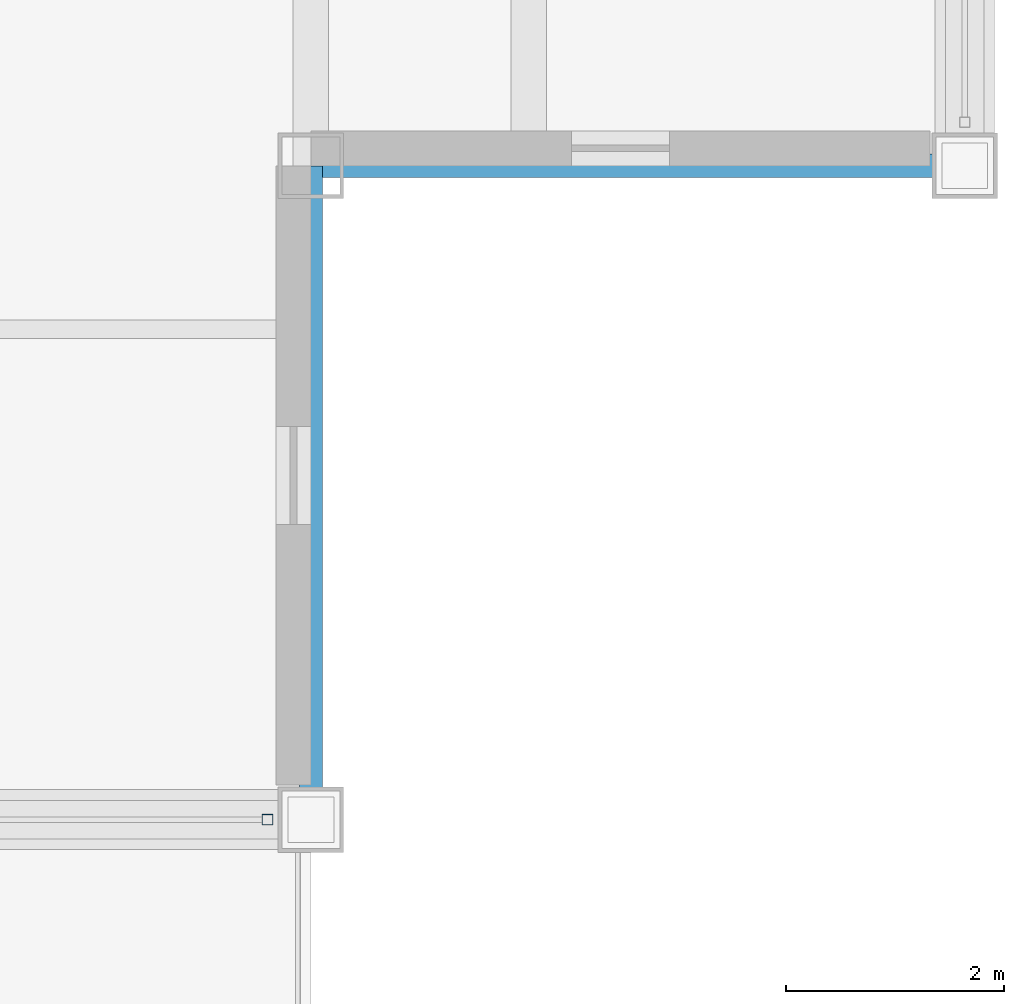
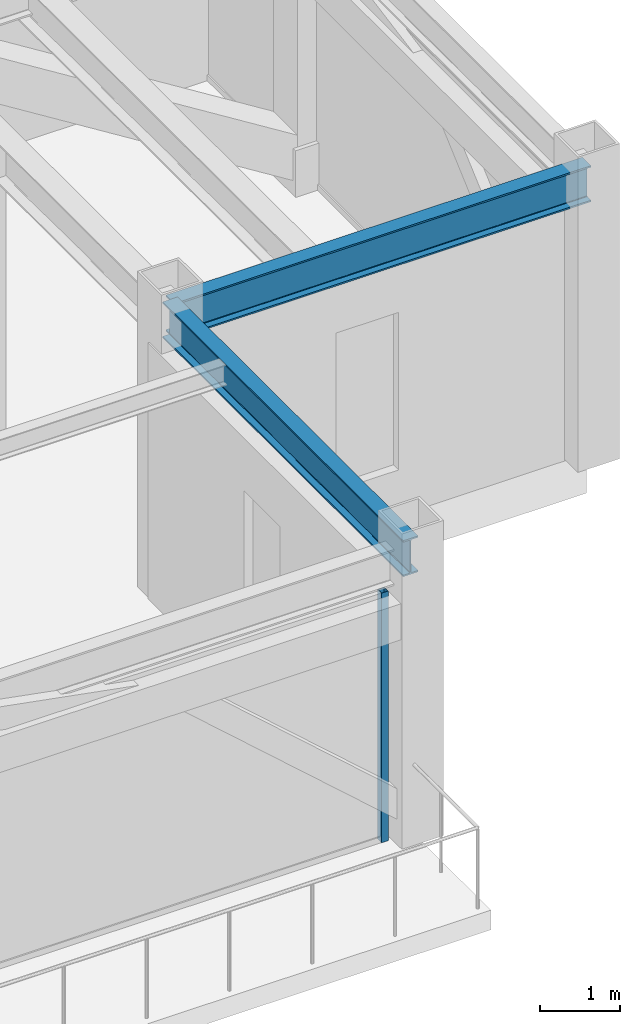
# One storey, part 8 of 32: 2 beams, 1 member, 1 element without a shape of its own.
"""IFC4 building model written with IfcOpenShell, lengths in metres."""

from ifc_helpers import new_model, si_unit, direction, frame, origin, origin_2d, place, context, subcontext, project, spatial, hollow_rectangle, i_section, extrude, source, transform, mapped, material, material_profile, profile_set, type_object, element, aggregate, save


model = new_model("IFC4")

# Units and contexts
model_context = context("Model", 3, precision=1e-05, world=origin(), true_north=direction((0.0, 1.0)))
body_context = subcontext(model_context, "Body", "Model", "MODEL_VIEW")
ifc_project = project(units=[si_unit("LENGTHUNIT", "METRE"), si_unit("AREAUNIT", "SQUARE_METRE"), si_unit("VOLUMEUNIT", "CUBIC_METRE"), si_unit("PLANEANGLEUNIT", "RADIAN"), si_unit("MASSUNIT", "GRAM", prefix="KILO")], contexts=[model_context])

# Site, building, storey
site_placement = place(None, origin())
site = spatial("IfcSite", under=ifc_project, at=site_placement, CompositionType="ELEMENT")
building_placement = place(site_placement, origin())
building = spatial("IfcBuilding", under=site, at=building_placement, Name="Khorayat Bourse Tower", CompositionType="ELEMENT")
storey_placement = place(building_placement, frame((0.0, 0.0, 375.5)))
storey = spatial("IfcBuildingStorey", under=building, at=storey_placement, Name="L89", CompositionType="ELEMENT", Elevation=375.5)

# Beams
ifc_material_1 = material(Name="Steel ASTM A992 Grade 50", Category="steel")
ifc_material_profile_1 = material_profile(ifc_material_1, i_section(OverallWidth=0.214111328125, OverallDepth=0.549072265625, WebThickness=0.0146484375, FlangeThickness=0.023681640625, FilletRadius=0.013916015625, at=origin_2d()), Name="W530X138")
ifc_profile_set_1 = profile_set([ifc_material_profile_1], Name="Steel ASTM A992 Grade 50")
beam_type = type_object("IfcBeamType", Name="BM-SPAN-530", PredefinedType="SPANDREL", material=ifc_profile_set_1)
shared_shape_1 = source(origin(), body_context, "Body", "SweptSolid", [
    extrude(i_section(OverallWidth=0.214111328125, OverallDepth=0.549072265625, WebThickness=0.0146484375, FlangeThickness=0.023681640625, FilletRadius=0.013916015625, at=origin_2d()), origin(), (0.0, 0.0, 1.0), 6.0),
])
for number, where, z_axis, x_axis, name in (
    (1, (18.0, -24.0, 4.175537109375), (0.0, 1.0, 0.0), (-1.0, 0.0, 0.0), "L89 BM-SPAN-530 BM-L89-SPN-030"),
    (2, (18.0, -18.0, 4.175537109375), (1.0, 0.0, 0.0), (0.0, 1.0, 0.0), "L89 BM-SPAN-530 BM-L89-SPN-031"),
):
    element("IfcBeam", number, at=place(storey_placement, frame(where, z_axis=z_axis, x_axis=x_axis)), inside=storey, type_object=beam_type, Name=name, PredefinedType="SPANDREL", context=body_context, shape_type="MappedRepresentation", body=[
        mapped(shared_shape_1, transform((0.0, 0.0, 0.0), scale=1.0)),
    ])

# Curtain wall, member
ifc_material_2 = material(Name="Aluminium EN AW-6063 T6", Category="aluminium")
curtain_wall_type = type_object("IfcCurtainWallType", Name="CW-SYS-07", PredefinedType="NOTDEFINED", material=ifc_material_2)
curtain_wall_placement = place(storey_placement, origin())
curtain_wall = element("IfcCurtainWall", 3, at=curtain_wall_placement, inside=storey, type_object=curtain_wall_type, Name="L89 Curtain Wall CW-L89-S2", PredefinedType="NOTDEFINED")
ifc_material_profile_2 = material_profile(ifc_material_2, hollow_rectangle(XDim=0.10009765625, YDim=0.10009765625, WallThickness=0.0048828125, at=origin_2d()), Name="ALU 100x100x5")
ifc_profile_set_2 = profile_set([ifc_material_profile_2], Name="Aluminium EN AW-6063 T6")
member_type = type_object("IfcMemberType", Name="CWM-LANTERN-100", PredefinedType="MULLION", material=ifc_profile_set_2)
shared_shape_2 = source(origin(), body_context, "Body", "SweptSolid", [
    extrude(hollow_rectangle(XDim=0.10009765625, YDim=0.10009765625, WallThickness=0.0048828125, at=origin_2d()), origin(), (0.0, 0.0, 1.0), 3.800048828125),
])
member_placement = place(storey_placement, frame((17.60009765625, -24.0, 0.0), z_axis=(0.0, 0.0, 1.0), x_axis=(0.0, 1.0, 0.0)))
member = element("IfcMember", 4, at=member_placement, type_object=member_type, Name="CW-L89-S2 Vertical Mullion 3", PredefinedType="MULLION", context=body_context, shape_type="MappedRepresentation", body=[
    mapped(shared_shape_2, transform((0.0, 0.0, 0.0), scale=1.0)),
])
aggregate(curtain_wall, [member])

save(model, "model.ifc")
